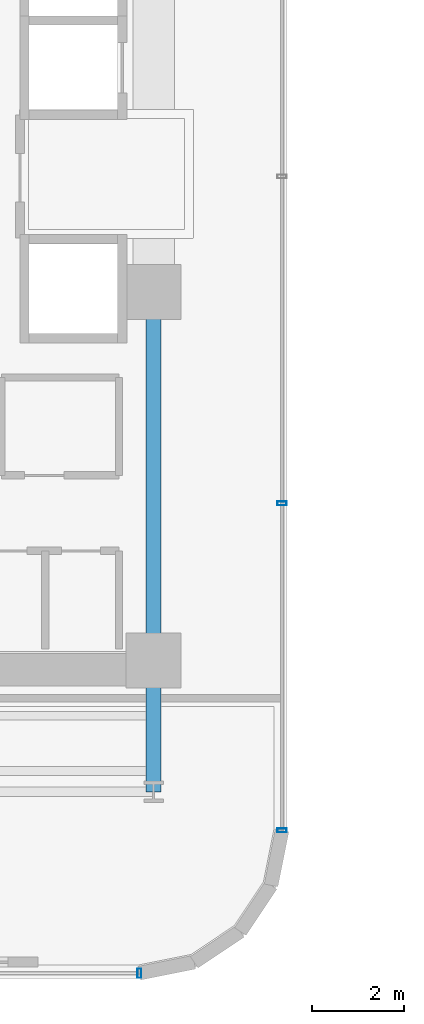
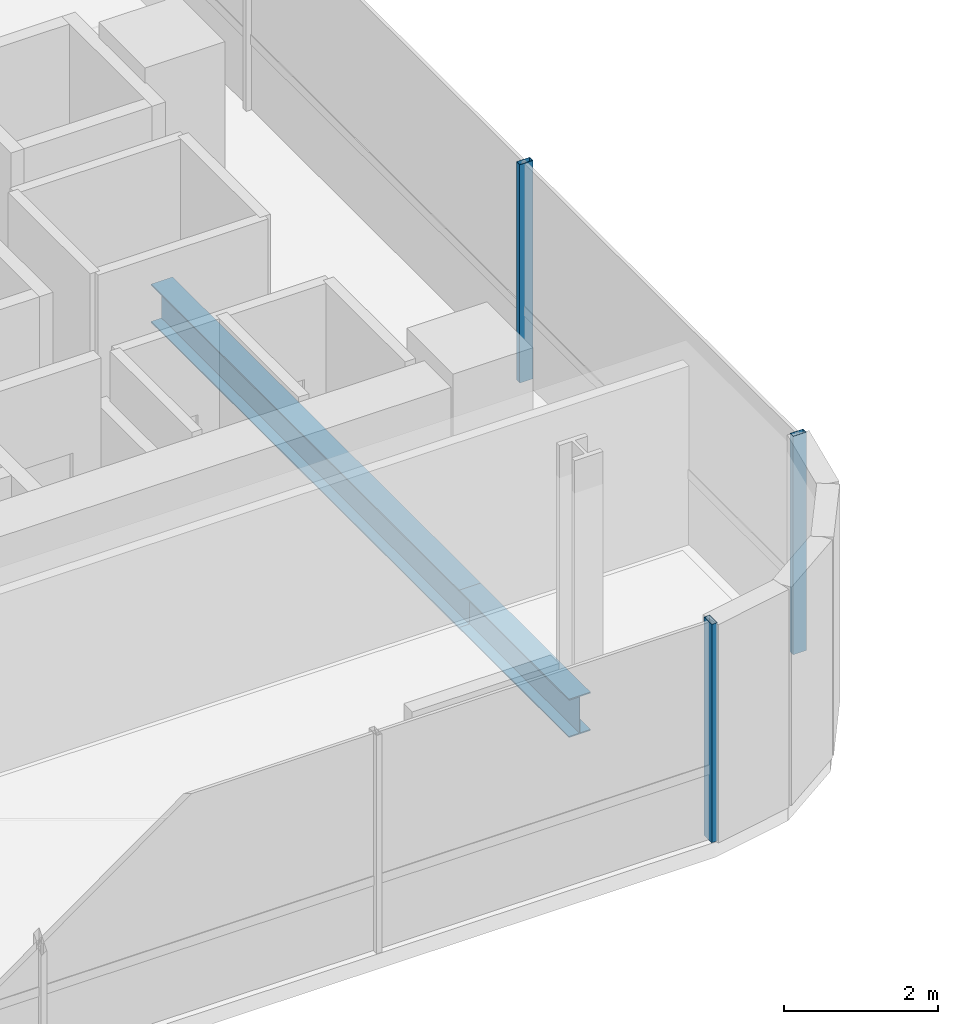
# One storey, part 5 of 34: 3 members, 2 beams, 2 elements without a shape of their own.
"""IFC4 building model written with IfcOpenShell, lengths in metres."""

from ifc_helpers import new_model, si_unit, direction, frame, origin, origin_2d, place, context, subcontext, project, spatial, hollow_rectangle, i_section, extrude, source, transform, mapped, material, material_profile, profile_set, type_object, element, aggregate, save


model = new_model("IFC4")

# Units and contexts
model_context = context("Model", 3, precision=1e-05, world=origin(), true_north=direction((0.0, 1.0)))
body_context = subcontext(model_context, "Body", "Model", "MODEL_VIEW")
ifc_project = project(units=[si_unit("LENGTHUNIT", "METRE"), si_unit("AREAUNIT", "SQUARE_METRE"), si_unit("VOLUMEUNIT", "CUBIC_METRE"), si_unit("PLANEANGLEUNIT", "RADIAN"), si_unit("MASSUNIT", "GRAM", prefix="KILO")], contexts=[model_context])

# Site, building, storey
site_placement = place(None, origin())
site = spatial("IfcSite", under=ifc_project, at=site_placement, CompositionType="ELEMENT")
building_placement = place(site_placement, origin())
building = spatial("IfcBuilding", under=site, at=building_placement, Name="Valdorenza Pilgrim Sanctuary Tower", CompositionType="ELEMENT")
storey_placement = place(building_placement, frame((0.0, 0.0, 146.39990234375)))
storey = spatial("IfcBuildingStorey", under=building, at=storey_placement, Name="L37", CompositionType="ELEMENT", Elevation=146.39990234375)

# Beams
ifc_material_1 = material(Name="Steel ASTM A992 Grade 50", Category="steel")
ifc_material_profile_1 = material_profile(ifc_material_1, i_section(OverallWidth=0.323974609375, OverallDepth=0.611083984375, WebThickness=0.0126953125, FlangeThickness=0.01904296875, at=origin_2d()), Name="W24X104")
ifc_profile_set_1 = profile_set([ifc_material_profile_1], Name="Steel ASTM A992 Grade 50")
beam_type = type_object("IfcBeamType", Name="STR-BM-GRD-W24B", PredefinedType="BEAM", material=ifc_profile_set_1)
shared_shape_1 = source(origin(), body_context, "Body", "SweptSolid", [
    extrude(i_section(OverallWidth=0.323974609375, OverallDepth=0.611083984375, WebThickness=0.0126953125, FlangeThickness=0.01904296875, at=origin_2d()), origin(), (0.0, 0.0, 1.0), 8.0),
])
beam_1_placement = place(storey_placement, frame((-12.39990234375, -10.60009765625, -0.54541015625), z_axis=(0.0, 1.0, 0.0), x_axis=(-1.0, 0.0, 0.0)))
element("IfcBeam", 1, at=beam_1_placement, inside=storey, type_object=beam_type, Name="L37 Core Tie Girder CA-E-S1M0", PredefinedType="BEAM", context=body_context, shape_type="MappedRepresentation", body=[
    mapped(shared_shape_1, transform((0.0, 0.0, 0.0), x_axis=(1.0, 0.0, 0.0), y_axis=(0.0, 1.0, 0.0), z_axis=(0.0, 0.0, 1.0), scale=1.0)),
])
shared_shape_2 = source(origin(), body_context, "Body", "SweptSolid", [
    extrude(i_section(OverallWidth=0.323974609375, OverallDepth=0.611083984375, WebThickness=0.0126953125, FlangeThickness=0.01904296875, at=origin_2d()), origin(), (0.0, 0.0, 1.0), 2.849853515625),
])
beam_2_placement = place(storey_placement, frame((-12.39990234375, -13.449951171875, -0.54541015625), z_axis=(0.0, 1.0, 0.0), x_axis=(-1.0, 0.0, 0.0)))
element("IfcBeam", 2, at=beam_2_placement, inside=storey, type_object=beam_type, Name="L37 Floor Girder WA-S-LE", PredefinedType="BEAM", context=body_context, shape_type="MappedRepresentation", body=[
    mapped(shared_shape_2, transform((0.0, 0.0, 0.0), x_axis=(1.0, 0.0, 0.0), y_axis=(0.0, 1.0, 0.0), z_axis=(0.0, 0.0, 1.0), scale=1.0)),
])

# Curtain wall, members
ifc_material_2 = material(Name="Curtain-wall IGU glazing", Category="glass")
curtain_wall_type = type_object("IfcCurtainWallType", Name="CW-SYS-02", PredefinedType="NOTDEFINED", material=ifc_material_2)
curtain_wall_1_placement = place(storey_placement, origin())
curtain_wall_1 = element("IfcCurtainWall", 3, at=curtain_wall_1_placement, inside=storey, type_object=curtain_wall_type, Name="L37 Curtain Wall CW-L37-1-41", PredefinedType="NOTDEFINED")
ifc_material_3 = material(Name="Anodised aluminium AW-6060", Category="aluminium")
ifc_material_profile_2 = material_profile(ifc_material_3, hollow_rectangle(XDim=0.0849609375, YDim=0.199951171875, WallThickness=0.0048828125, at=origin_2d()), Name="ALU-M 200x85x5")
ifc_profile_set_2 = profile_set([ifc_material_profile_2], Name="Anodised aluminium AW-6060")
member_type = type_object("IfcMemberType", Name="CW-MUL-02", PredefinedType="MULLION", material=ifc_profile_set_2)
shared_shape_3 = source(origin(), body_context, "Body", "SweptSolid", [
    extrude(hollow_rectangle(XDim=0.0849609375, YDim=0.199951171875, WallThickness=0.0048828125, at=origin_2d()), origin(), (0.0, 0.0, 1.0), 3.460205078125),
])
member_1_placement = place(storey_placement, frame((-9.610107421875, -7.189208984375, 0.0), z_axis=(0.0, 0.0, 1.0), x_axis=(0.0, -1.0, 0.0)))
member_1 = element("IfcMember", 4, at=member_1_placement, type_object=member_type, Name="CW-L37-1-41 Mullion 3", PredefinedType="MULLION", context=body_context, shape_type="MappedRepresentation", body=[
    mapped(shared_shape_3, transform((0.0, 0.0, 0.0), x_axis=(1.0, 0.0, 0.0), y_axis=(0.0, 1.0, 0.0), z_axis=(0.0, 0.0, 1.0), scale=1.0)),
])
member_2_placement = place(storey_placement, frame((-9.610107421875, -14.289306640625, 0.0), z_axis=(0.0, 0.0, 1.0), x_axis=(0.0, -1.0, 0.0)))
member_2 = element("IfcMember", 5, at=member_2_placement, type_object=member_type, Name="CW-L37-1-41 Mullion 4", PredefinedType="MULLION", context=body_context, shape_type="MappedRepresentation", body=[
    mapped(shared_shape_3, transform((0.0, 0.0, 0.0), x_axis=(1.0, 0.0, 0.0), y_axis=(0.0, 1.0, 0.0), z_axis=(0.0, 0.0, 1.0), scale=1.0)),
])
aggregate(curtain_wall_1, [member_1, member_2])

# Curtain wall, member
curtain_wall_2_placement = place(storey_placement, origin())
curtain_wall_2 = element("IfcCurtainWall", 6, at=curtain_wall_2_placement, inside=storey, type_object=curtain_wall_type, Name="L37 Curtain Wall CW-L37-1-46", PredefinedType="NOTDEFINED")
member_3_placement = place(storey_placement, frame((-12.710693359375, -17.389892578125, 0.0), z_axis=(0.0, 0.0, 1.0), x_axis=(-1.0, 0.0, 0.0)))
member_3 = element("IfcMember", 7, at=member_3_placement, type_object=member_type, Name="CW-L37-1-46 Mullion 1", PredefinedType="MULLION", context=body_context, shape_type="MappedRepresentation", body=[
    mapped(shared_shape_3, transform((0.0, 0.0, 0.0), x_axis=(1.0, 0.0, 0.0), y_axis=(0.0, 1.0, 0.0), z_axis=(0.0, 0.0, 1.0), scale=1.0)),
])
aggregate(curtain_wall_2, [member_3])

save(model, "model.ifc")
